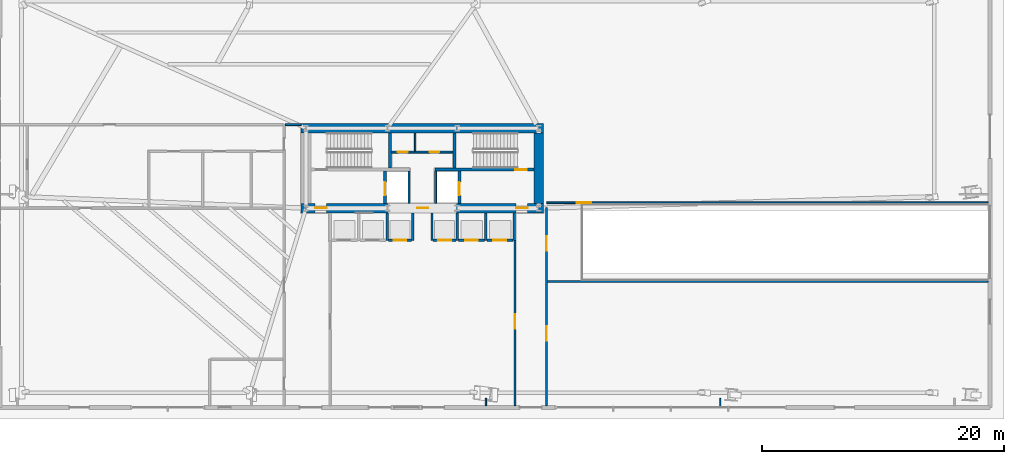
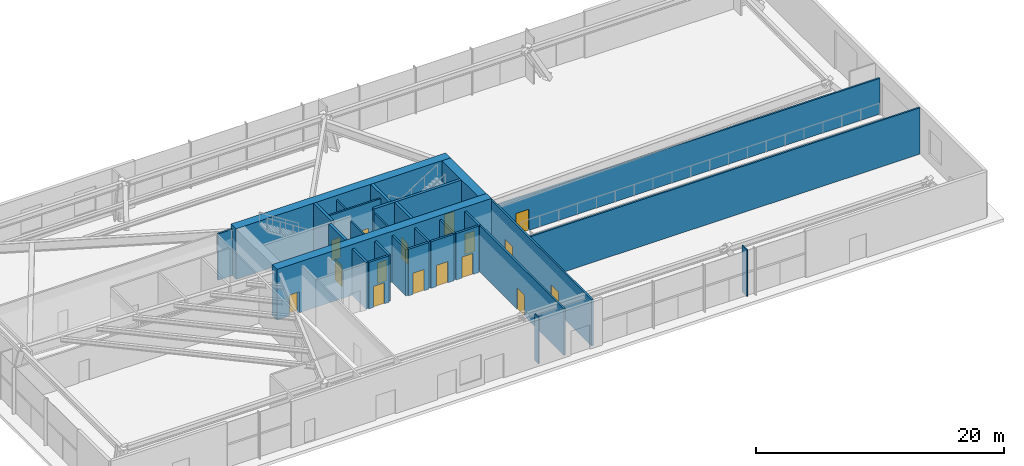
# One storey, part 25 of 31: 29 walls, 16 doors, 16 openings.
"""IFC4 building model written with IfcOpenShell, lengths in metres."""

import ifcopenshell
import ifcopenshell.guid

model = None  # the IFC model being written
_history = None  # IfcOwnerHistory: only IFC2X3 demands one
_inside = {}  # id of a spatial element -> (the spatial element, [elements in it])
_under = {}  # id of a project, library or spatial element -> (it, [spatial elements below it])
_declared = {}  # id of a project -> (the project, [libraries it declares])
_typed = {}  # id of a type object -> (the type object, [elements of that type])
_made_of = {}  # id of a material, layer set ... -> (it, [elements and type objects made of it])


def new_model(schema):
    """Start an empty IFC model of exactly this schema.

    Asked for "IFC4X3", IfcOpenShell would pick the latest addendum, in which some entities
    have other attributes; the version numbers below select the first issue.
    IFC2X3 requires an IfcOwnerHistory on every rooted entity: one is made here for all.
    """
    global model, _history
    if schema == "IFC4X3":
        model = ifcopenshell.file(schema_version=(4, 3, 0, 0))
    else:
        model = ifcopenshell.file(schema=schema)
    _inside.clear()
    _under.clear()
    _declared.clear()
    _typed.clear()
    _made_of.clear()
    _history = None
    if model.schema == "IFC2X3":
        org = make("IfcOrganization", Name="unknown")
        user = make(
            "IfcPersonAndOrganization",
            ThePerson=make("IfcPerson", FamilyName="unknown"),
            TheOrganization=org,
        )
        app = make(
            "IfcApplication",
            ApplicationDeveloper=org,
            Version="unknown",
            ApplicationFullName="unknown",
            ApplicationIdentifier="unknown",
        )
        _history = make(
            "IfcOwnerHistory",
            OwningUser=user,
            OwningApplication=app,
            ChangeAction="ADDED",
            CreationDate=0,
        )
    return model


def make(cls, **values):
    """One entity of the class cls with the attributes given. An attribute that is None is left unset."""
    return model.create_entity(
        cls, **{name: value for name, value in values.items() if value is not None}
    )


def rooted(cls, **values):
    """An entity with a GlobalId (a new one), such as an element, a storey or a relation."""
    return make(cls, GlobalId=ifcopenshell.guid.new(), OwnerHistory=_history, **values)


def si_unit(unit_type, name, prefix=None):
    """IfcSIUnit, for example si_unit("LENGTHUNIT", "METRE", prefix="MILLI")."""
    return make("IfcSIUnit", UnitType=unit_type, Prefix=prefix, Name=name)


def assignment(units):
    """IfcUnitAssignment: the units of a project."""
    return None if units is None else make("IfcUnitAssignment", Units=units)


def point(xyz):
    """IfcCartesianPoint."""
    return None if xyz is None else make("IfcCartesianPoint", Coordinates=xyz)


def direction(xyz):
    """IfcDirection."""
    return None if xyz is None else make("IfcDirection", DirectionRatios=xyz)


def frame(location, z_axis=None, x_axis=None):
    """IfcAxis2Placement3D, a coordinate frame: its origin and axes. An axis left out is left unset."""
    return make(
        "IfcAxis2Placement3D",
        Location=point(location),
        Axis=direction(z_axis),
        RefDirection=direction(x_axis),
    )


def frame_2d(location, x_axis=None):
    """IfcAxis2Placement2D, a coordinate frame in the plane: its origin and x axis."""
    return make(
        "IfcAxis2Placement2D", Location=point(location), RefDirection=direction(x_axis)
    )


def origin():
    """The frame at (0, 0, 0) with its axes left unset."""
    return frame((0.0, 0.0, 0.0))


def place(relative_to, where):
    """IfcLocalPlacement: puts the frame where relative to a parent placement (None: the world)."""
    return make(
        "IfcLocalPlacement", PlacementRelTo=relative_to, RelativePlacement=where
    )


def context(
    kind, dimensions, precision=None, world=None, true_north=None, identifier=None
):
    """IfcGeometricRepresentationContext, for example the 3D "Model" context."""
    return make(
        "IfcGeometricRepresentationContext",
        ContextIdentifier=identifier,
        ContextType=kind,
        CoordinateSpaceDimension=dimensions,
        Precision=precision,
        WorldCoordinateSystem=world,
        TrueNorth=true_north,
    )


def subcontext(parent, identifier, kind, view, scale=None):
    """IfcGeometricRepresentationSubContext, for example "Body" below "Model"."""
    return make(
        "IfcGeometricRepresentationSubContext",
        ContextIdentifier=identifier,
        ContextType=kind,
        ParentContext=parent,
        TargetScale=scale,
        TargetView=view,
    )


def project(units=None, contexts=None):
    """IfcProject with its units and contexts."""
    return rooted(
        "IfcProject",
        Name="project",
        RepresentationContexts=contexts,
        UnitsInContext=assignment(units),
    )


def spatial(cls, under=None, at=None, **own):
    """A site, building, storey or space (cls), placed at a placement, below another one or the project."""
    s = rooted(cls, ObjectPlacement=at, **own)
    if under is not None:
        _under.setdefault(under.id(), (under, []))[1].append(s)
    return s


def profile(cls, at=None, kind="AREA", **sizes):
    """A parametric profile (cls). Its sizes go by their IFC names, for example OverallWidth=200.0."""
    return make(cls, ProfileType=kind, Position=at, **sizes)


def rectangle(**sizes):
    """IfcRectangleProfileDef."""
    return profile("IfcRectangleProfileDef", **sizes)


def extrude(swept, where, along, depth):
    """IfcExtrudedAreaSolid: the profile swept, set in the frame where, extruded along a direction by depth."""
    return make(
        "IfcExtrudedAreaSolid",
        SweptArea=swept,
        Position=where,
        ExtrudedDirection=direction(along),
        Depth=depth,
    )


def shape(context_of_items, identifier, shape_type, items):
    """IfcShapeRepresentation: the items that make up one representation, for example the "Body"."""
    return make(
        "IfcShapeRepresentation",
        ContextOfItems=context_of_items,
        RepresentationIdentifier=identifier,
        RepresentationType=shape_type,
        Items=items,
    )


def source(mapping_origin, context_of_items, identifier, shape_type, items):
    """IfcRepresentationMap: a shape defined once, which mapped items show again and again."""
    return make(
        "IfcRepresentationMap",
        MappingOrigin=mapping_origin,
        MappedRepresentation=shape(context_of_items, identifier, shape_type, items),
    )


def transform(
    local_origin,
    x_axis=None,
    y_axis=None,
    z_axis=None,
    scale=None,
    scale2=None,
    scale3=None,
    uniform=True,
):
    """IfcCartesianTransformationOperator3D, or its non-uniform kind. x_axis, y_axis, z_axis: its Axis1, 2, 3."""
    if uniform:
        return make(
            "IfcCartesianTransformationOperator3D",
            Axis1=direction(x_axis),
            Axis2=direction(y_axis),
            LocalOrigin=point(local_origin),
            Scale=scale,
            Axis3=direction(z_axis),
        )
    return make(
        "IfcCartesianTransformationOperator3DnonUniform",
        Axis1=direction(x_axis),
        Axis2=direction(y_axis),
        LocalOrigin=point(local_origin),
        Scale=scale,
        Axis3=direction(z_axis),
        Scale2=scale2,
        Scale3=scale3,
    )


def mapped(mapping_source, mapping_target):
    """IfcMappedItem: shows the shape of a source again, moved by a transform."""
    return make(
        "IfcMappedItem", MappingSource=mapping_source, MappingTarget=mapping_target
    )


def material(Name=None, Category=None):
    """IfcMaterial."""
    return make("IfcMaterial", Name=Name, Category=Category)


def layer(
    of_material, thickness, ventilated=None, Name=None, Category=None, Priority=None
):
    """IfcMaterialLayer: one layer of a wall or slab, of a material (None: an air gap)."""
    return make(
        "IfcMaterialLayer",
        Material=of_material,
        LayerThickness=thickness,
        IsVentilated=ventilated,
        Name=Name,
        Category=Category,
        Priority=Priority,
    )


def layer_set(layers, Name=None):
    """IfcMaterialLayerSet."""
    return make("IfcMaterialLayerSet", MaterialLayers=layers, LayerSetName=Name)


def made_of(thing, what):
    """Note that an element or type object is made of a material, layer set ...; save() writes the relation."""
    if what is not None:
        _made_of.setdefault(what.id(), (what, []))[1].append(thing)
    return thing


def type_object(cls, material=None, **own):
    """A type object (cls), such as IfcWallType, which elements share."""
    return made_of(rooted(cls, **own), material)


def type_shapes(of_type, sources):
    """Give a type object the sources (RepresentationMaps) that its elements show as mapped items."""
    of_type.RepresentationMaps = sources


def element(
    cls,
    number,
    at=None,
    inside=None,
    cuts=None,
    type_object=None,
    material=None,
    context=None,
    identifier="Body",
    shape_type=None,
    held_by="IfcProductDefinitionShape",
    body=None,
    shapes=None,
    **own,
):
    """One element of the class cls, such as IfcWall. Its Tag is "e" and its number.

    at: its placement. inside: the storey or other place that contains it. cuts: it is an
    opening in that element (IfcRelVoidsElement). A single representation is given by context,
    identifier, shape_type and body (its items); several are given by shapes. held_by: the class
    of the entity that holds the representations. save() writes the other relations.
    """
    e = rooted(cls, Tag="e%d" % number, ObjectPlacement=at, **own)
    if body is not None:
        shapes = [shape(context, identifier, shape_type, body)]
    if shapes is not None:
        e.Representation = make(held_by, Representations=shapes)
    if inside is not None:
        _inside.setdefault(inside.id(), (inside, []))[1].append(e)
    if cuts is not None:
        rooted(
            "IfcRelVoidsElement", RelatingBuildingElement=cuts, RelatedOpeningElement=e
        )
    if type_object is not None:
        _typed.setdefault(type_object.id(), (type_object, []))[1].append(e)
    return made_of(e, material)


def fill(opening, filler):
    """IfcRelFillsElement: the door or window that sits in an opening."""
    return rooted(
        "IfcRelFillsElement",
        RelatingOpeningElement=opening,
        RelatedBuildingElement=filler,
    )


def aggregate(whole, parts):
    """IfcRelAggregates: a whole, such as a stair, and the parts it consists of."""
    return rooted("IfcRelAggregates", RelatingObject=whole, RelatedObjects=parts)


def save(model, path):
    """Write the relations noted so far, then the file.

    IfcRelAggregates (storeys below a building ...), IfcRelContainedInSpatialStructure (elements
    in a storey), IfcRelDefinesByType, IfcRelAssociatesMaterial and IfcRelDeclares: one each for
    every whole, place, type object, material and project.
    """
    for whole, parts in _under.values():
        aggregate(whole, parts)
    for where, things in _inside.values():
        rooted(
            "IfcRelContainedInSpatialStructure",
            RelatedElements=things,
            RelatingStructure=where,
        )
    for kind, things in _typed.values():
        rooted("IfcRelDefinesByType", RelatedObjects=things, RelatingType=kind)
    for what, things in _made_of.values():
        rooted("IfcRelAssociatesMaterial", RelatedObjects=things, RelatingMaterial=what)
    for by, libraries in _declared.values():
        rooted("IfcRelDeclares", RelatingContext=by, RelatedDefinitions=libraries)
    model.write(path)


model = new_model("IFC4")

# Units and contexts
model_context = context("Model", 3, precision=1e-05, world=origin(), true_north=direction((0.0, 1.0)))
body_context = subcontext(model_context, "Body", "Model", "MODEL_VIEW")
ifc_project = project(units=[si_unit("LENGTHUNIT", "METRE"), si_unit("AREAUNIT", "SQUARE_METRE"), si_unit("VOLUMEUNIT", "CUBIC_METRE"), si_unit("PLANEANGLEUNIT", "RADIAN"), si_unit("MASSUNIT", "GRAM", prefix="KILO")], contexts=[model_context])

# Site, building, storey
site_placement = place(None, origin())
site = spatial("IfcSite", under=ifc_project, at=site_placement, CompositionType="ELEMENT")
building_placement = place(site_placement, origin())
building = spatial("IfcBuilding", under=site, at=building_placement, Name="Astriad Promenade Condominiums", CompositionType="ELEMENT")
storey_placement = place(building_placement, origin())
storey = spatial("IfcBuildingStorey", under=building, at=storey_placement, Name="L00", CompositionType="ELEMENT", Elevation=0.0)

# Wall, openings, doors
ifc_material_1 = material(Name="Concrete C80/95", Category="concrete")
ifc_layer_1 = layer(ifc_material_1, 0.800048828125)
ifc_layer_set_1 = layer_set([ifc_layer_1], Name="Concrete C80/95")
wall_type_1 = type_object("IfcWallType", Name="CW-SHEAR-800", PredefinedType="SHEAR", material=ifc_layer_set_1)
wall_1_placement = place(storey_placement, frame((26.0, 17.39990234375, 0.0), z_axis=(0.0, 0.0, 1.0), x_axis=(1.0, 0.0, 0.0)))
wall_1 = element("IfcWall", 1, at=wall_1_placement, inside=storey, type_object=wall_type_1, Name="CW-CORE-S-L00", PredefinedType="SHEAR", context=body_context, shape_type="SweptSolid", body=[
    extrude(rectangle(XDim=20.0, YDim=0.800048828125, at=frame_2d((10.0, 0.0))), origin(), (0.0, 0.0, 1.0), 5.0),
])
opening_1_placement = place(wall_1_placement, frame((1.14990234375, 0.0, 0.0)))
opening_1 = element("IfcOpeningElement", 2, at=opening_1_placement, cuts=wall_1, Name="Opening FD90-ST-095", PredefinedType="OPENING", context=body_context, shape_type="SweptSolid", body=[
    extrude(rectangle(XDim=0.949951171875, YDim=2.06005859375, at=frame_2d((0.47509765625, 1.030029296875))), frame((0.0, 0.409912109375, 0.0), z_axis=(0.0, -1.0, 0.0), x_axis=(1.0, 0.0, 0.0)), (0.0, 0.0, 1.0), 0.820068359375),
])
opening_2_placement = place(wall_1_placement, frame((9.580078125, 0.0, 0.0)))
opening_2 = element("IfcOpeningElement", 3, at=opening_2_placement, cuts=wall_1, Name="Opening FD60-CSL-090", PredefinedType="OPENING", context=body_context, shape_type="SweptSolid", body=[
    extrude(rectangle(XDim=0.89990234375, YDim=2.06005859375, at=frame_2d((0.449951171875, 1.030029296875))), frame((0.0, 0.409912109375, 0.0), z_axis=(0.0, -1.0, 0.0), x_axis=(1.0, 0.0, 0.0)), (0.0, 0.0, 1.0), 0.820068359375),
])
opening_3_placement = place(wall_1_placement, frame((17.75, 0.0, 0.0)))
opening_3 = element("IfcOpeningElement", 4, at=opening_3_placement, cuts=wall_1, Name="Opening FD90-ST-095", PredefinedType="OPENING", context=body_context, shape_type="SweptSolid", body=[
    extrude(rectangle(XDim=0.949951171875, YDim=2.06005859375, at=frame_2d((0.47509765625, 1.030029296875))), frame((0.0, 0.409912109375, 0.0), z_axis=(0.0, -1.0, 0.0), x_axis=(1.0, 0.0, 0.0)), (0.0, 0.0, 1.0), 0.820068359375),
])
ifc_material_2 = material(Name="Fire-Rated Hollow Metal Stair Door")
door_type_1 = type_object("IfcDoorType", Name="FD90-ST-095", OperationType="NOTDEFINED", PredefinedType="DOOR", material=ifc_material_2)
shared_shape_1 = source(origin(), body_context, "Body", "SweptSolid", [
    extrude(rectangle(XDim=0.949951171875, YDim=2.06005859375, at=frame_2d((0.47509765625, 1.030029296875))), frame((0.0, 0.02490234375, 0.0), z_axis=(0.0, -1.0, 0.0), x_axis=(1.0, 0.0, 0.0)), (0.0, 0.0, 1.0), 0.050048828125),
])
type_shapes(door_type_1, [shared_shape_1])
door_1_placement = place(opening_1_placement, origin())
door_1 = element("IfcDoor", 5, at=door_1_placement, inside=storey, type_object=door_type_1, Name="D-FFW-L00", OperationType="SINGLE_SWING_LEFT", OverallHeight=2.06005859375, OverallWidth=0.949951171875, PredefinedType="DOOR", context=body_context, shape_type="MappedRepresentation", body=[
    mapped(shared_shape_1, transform((0.0, 0.0, 0.0), scale=1.0)),
])
fill(opening_1, door_1)
door_2_placement = place(opening_3_placement, origin())
door_2 = element("IfcDoor", 6, at=door_2_placement, inside=storey, type_object=door_type_1, Name="D-FFE-L00", OperationType="SINGLE_SWING_RIGHT", OverallHeight=2.06005859375, OverallWidth=0.949951171875, PredefinedType="DOOR", context=body_context, shape_type="MappedRepresentation", body=[
    mapped(shared_shape_1, transform((0.0, 0.0, 0.0), scale=1.0)),
])
fill(opening_3, door_2)
ifc_material_3 = material(Name="Fire-Rated Service Lobby Door")
door_type_2 = type_object("IfcDoorType", Name="FD60-CSL-090", OperationType="NOTDEFINED", PredefinedType="DOOR", material=ifc_material_3)
shared_shape_2 = source(origin(), body_context, "Body", "SweptSolid", [
    extrude(rectangle(XDim=0.89990234375, YDim=2.06005859375, at=frame_2d((0.449951171875, 1.030029296875))), frame((0.0, 0.02490234375, 0.0), z_axis=(0.0, -1.0, 0.0), x_axis=(1.0, 0.0, 0.0)), (0.0, 0.0, 1.0), 0.050048828125),
])
type_shapes(door_type_2, [shared_shape_2])
door_3_placement = place(opening_2_placement, origin())
door_3 = element("IfcDoor", 7, at=door_3_placement, inside=storey, type_object=door_type_2, Name="D-CSL-L00", OperationType="SINGLE_SWING_RIGHT", OverallHeight=2.06005859375, OverallWidth=0.89990234375, PredefinedType="DOOR", context=body_context, shape_type="MappedRepresentation", body=[
    mapped(shared_shape_2, transform((0.0, 0.0, 0.0), scale=1.0)),
])
fill(opening_2, door_3)

# Walls
wall_2_placement = place(storey_placement, frame((26.0, 24.0, 0.0), z_axis=(0.0, 0.0, 1.0), x_axis=(1.0, 0.0, 0.0)))
element("IfcWall", 8, at=wall_2_placement, inside=storey, type_object=wall_type_1, Name="CW-CORE-N-L00", PredefinedType="SHEAR", context=body_context, shape_type="SweptSolid", body=[
    extrude(rectangle(XDim=20.0, YDim=0.800048828125, at=frame_2d((10.0, 0.0))), origin(), (0.0, 0.0, 1.0), 5.0),
])
wall_3_placement = place(storey_placement, frame((45.60009765625, 17.802001953125, 0.0), z_axis=(0.0, 0.0, 1.0), x_axis=(0.0, 1.0, 0.0)))
element("IfcWall", 9, at=wall_3_placement, inside=storey, type_object=wall_type_1, Name="CW-CORE-E-L00", PredefinedType="SHEAR", context=body_context, shape_type="SweptSolid", body=[
    extrude(rectangle(XDim=5.7958984375, YDim=0.800048828125, at=frame_2d((2.89794921875, 0.0))), origin(), (0.0, 0.0, 1.0), 5.0),
])

# Wall, opening, door
ifc_material_4 = material(Name="Concrete C50/60", Category="concrete")
ifc_layer_2 = layer(ifc_material_4, 0.25)
ifc_layer_set_2 = layer_set([ifc_layer_2], Name="Concrete C50/60")
wall_type_2 = type_object("IfcWallType", Name="WALL-CORE-INT-250", PredefinedType="SOLIDWALL", material=ifc_layer_set_2)
wall_4_placement = place(storey_placement, frame((37.050048828125, 20.574951171875, 0.0), z_axis=(0.0, 0.0, 1.0), x_axis=(1.0, 0.0, 0.0)))
wall_4 = element("IfcWall", 10, at=wall_4_placement, inside=storey, type_object=wall_type_2, Name="CW-INT-H2-L00", PredefinedType="SOLIDWALL", context=body_context, shape_type="SweptSolid", body=[
    extrude(rectangle(XDim=8.14794921875, YDim=0.25, at=frame_2d((4.073974609375, 0.0))), origin(), (0.0, 0.0, 1.0), 5.0),
])
opening_4_placement = place(wall_4_placement, frame((6.60009765625, 0.0, 0.0)))
opening_4 = element("IfcOpeningElement", 11, at=opening_4_placement, cuts=wall_4, Name="Opening FD90-ST-095", PredefinedType="OPENING", context=body_context, shape_type="SweptSolid", body=[
    extrude(rectangle(XDim=0.949951171875, YDim=2.06005859375, at=frame_2d((0.47509765625, 1.030029296875))), frame((0.0, 0.135009765625, 0.0), z_axis=(0.0, -1.0, 0.0), x_axis=(1.0, 0.0, 0.0)), (0.0, 0.0, 1.0), 0.27001953125),
])
door_4_placement = place(opening_4_placement, origin())
door_4 = element("IfcDoor", 12, at=door_4_placement, inside=storey, type_object=door_type_1, Name="D-ST2-L00", OperationType="SINGLE_SWING_RIGHT", OverallHeight=2.06005859375, OverallWidth=0.949951171875, PredefinedType="DOOR", context=body_context, shape_type="MappedRepresentation", body=[
    mapped(shared_shape_1, transform((0.0, 0.0, 0.0), scale=1.0)),
])
fill(opening_4, door_4)

# Walls
for number, where, z_axis, x_axis, name in (
    (13, (33.324951171875, 20.701904296875, 0.0), (0.0, 0.0, 1.0), (0.0, 1.0, 0.0), "CW-ST1-E-L00"),
    (14, (38.675048828125, 20.701904296875, 0.0), (0.0, 0.0, 1.0), (0.0, 1.0, 0.0), "CW-ST2-W-L00"),
):
    element("IfcWall", number, at=place(storey_placement, frame(where, z_axis=z_axis, x_axis=x_axis)), inside=storey, type_object=wall_type_2, Name=name, PredefinedType="SOLIDWALL", context=body_context, shape_type="SweptSolid", body=[
        extrude(rectangle(XDim=2.89599609375, YDim=0.25, at=frame_2d((1.447998046875, 0.0))), origin(), (0.0, 0.0, 1.0), 5.0),
    ])

# Wall, opening, door
wall_5_placement = place(storey_placement, frame((32.925048828125, 17.802001953125, 0.0), z_axis=(0.0, 0.0, 1.0), x_axis=(0.0, 1.0, 0.0)))
wall_5 = element("IfcWall", 15, at=wall_5_placement, inside=storey, type_object=wall_type_2, Name="CW-FFL1-W-L00", PredefinedType="SOLIDWALL", context=body_context, shape_type="SweptSolid", body=[
    extrude(rectangle(XDim=2.64599609375, YDim=0.25, at=frame_2d((1.322998046875, 0.0))), origin(), (0.0, 0.0, 1.0), 5.0),
])
opening_5_placement = place(wall_5_placement, frame((0.64794921875, 0.0, 0.0)))
opening_5 = element("IfcOpeningElement", 16, at=opening_5_placement, cuts=wall_5, Name="Opening LD-FFL-1122", PredefinedType="OPENING", context=body_context, shape_type="SweptSolid", body=[
    extrude(rectangle(XDim=1.10009765625, YDim=2.080078125, at=frame_2d((0.550048828125, 1.0400390625))), frame((0.0, 0.135009765625, 0.0), z_axis=(0.0, -1.0, 0.0), x_axis=(1.0, 0.0, 0.0)), (0.0, 0.0, 1.0), 0.27001953125),
])
ifc_material_5 = material(Name="Brushed Stainless Steel Fire Elevator Landing Door", Category="steel")
door_type_3 = type_object("IfcDoorType", Name="LD-FFL-1122", OperationType="NOTDEFINED", PredefinedType="DOOR", material=ifc_material_5)
shared_shape_3 = source(origin(), body_context, "Body", "SweptSolid", [
    extrude(rectangle(XDim=1.10009765625, YDim=2.080078125, at=frame_2d((0.550048828125, 1.0400390625))), frame((0.0, 0.02490234375, 0.0), z_axis=(0.0, -1.0, 0.0), x_axis=(1.0, 0.0, 0.0)), (0.0, 0.0, 1.0), 0.050048828125),
])
type_shapes(door_type_3, [shared_shape_3])
door_5_placement = place(opening_5_placement, origin())
door_5 = element("IfcDoor", 17, at=door_5_placement, inside=storey, type_object=door_type_3, Name="Elevator Landing Door FFL-1 (L00)", OperationType="SLIDING_TO_LEFT", OverallHeight=2.080078125, OverallWidth=1.10009765625, PredefinedType="DOOR", context=body_context, shape_type="MappedRepresentation", body=[
    mapped(shared_shape_3, transform((0.0, 0.0, 0.0), scale=1.0)),
])
fill(opening_5, door_5)

wall_6_placement = place(storey_placement, frame((39.074951171875, 17.802001953125, 0.0), z_axis=(0.0, 0.0, 1.0), x_axis=(0.0, 1.0, 0.0)))
wall_6 = element("IfcWall", 18, at=wall_6_placement, inside=storey, type_object=wall_type_2, Name="CW-FFL2-E-L00", PredefinedType="SOLIDWALL", context=body_context, shape_type="SweptSolid", body=[
    extrude(rectangle(XDim=2.64599609375, YDim=0.25, at=frame_2d((1.322998046875, 0.0))), origin(), (0.0, 0.0, 1.0), 5.0),
])
opening_6_placement = place(wall_6_placement, frame((0.64794921875, 0.0, 0.0)))
opening_6 = element("IfcOpeningElement", 19, at=opening_6_placement, cuts=wall_6, Name="Opening LD-FFL-1122", PredefinedType="OPENING", context=body_context, shape_type="SweptSolid", body=[
    extrude(rectangle(XDim=1.10009765625, YDim=2.080078125, at=frame_2d((0.550048828125, 1.0400390625))), frame((0.0, 0.135009765625, 0.0), z_axis=(0.0, -1.0, 0.0), x_axis=(1.0, 0.0, 0.0)), (0.0, 0.0, 1.0), 0.27001953125),
])
door_6_placement = place(opening_6_placement, origin())
door_6 = element("IfcDoor", 20, at=door_6_placement, inside=storey, type_object=door_type_3, Name="Elevator Landing Door FFL-2 (L00)", OperationType="SLIDING_TO_RIGHT", OverallHeight=2.080078125, OverallWidth=1.10009765625, PredefinedType="DOOR", context=body_context, shape_type="MappedRepresentation", body=[
    mapped(shared_shape_3, transform((0.0, 0.0, 0.0), scale=1.0)),
])
fill(opening_6, door_6)

# Walls
ifc_material_6 = material(Name="Fire-Rated Gypsum Partition")
ifc_layer_3 = layer(ifc_material_6, 0.159912109375)
ifc_layer_set_3 = layer_set([ifc_layer_3], Name="Fire-Rated Gypsum Partition")
wall_type_3 = type_object("IfcWallType", Name="WALL-CORR-160", PredefinedType="PARTITIONING", material=ifc_layer_set_3)
for number, where, z_axis, x_axis, name in (
    (21, (34.89990234375, 17.802001953125, 0.0), (0.0, 0.0, 1.0), (0.0, 1.0, 0.0), "CW-FFL1-E-L00"),
    (22, (37.10009765625, 17.802001953125, 0.0), (0.0, 0.0, 1.0), (0.0, 1.0, 0.0), "CW-FFL2-W-L00"),
):
    element("IfcWall", number, at=place(storey_placement, frame(where, z_axis=z_axis, x_axis=x_axis)), inside=storey, type_object=wall_type_3, Name=name, PredefinedType="PARTITIONING", context=body_context, shape_type="SweptSolid", body=[
        extrude(rectangle(XDim=2.64599609375, YDim=0.159912109375, at=frame_2d((1.322998046875, 0.0))), origin(), (0.0, 0.0, 1.0), 4.580078125),
    ])

# Wall, openings, doors
wall_7_placement = place(storey_placement, frame((33.451904296875, 22.030029296875, 0.0), z_axis=(0.0, 0.0, 1.0), x_axis=(1.0, 0.0, 0.0)))
wall_7 = element("IfcWall", 23, at=wall_7_placement, inside=storey, type_object=wall_type_3, Name="CW-AUX-N-L00", PredefinedType="PARTITIONING", context=body_context, shape_type="SweptSolid", body=[
    extrude(rectangle(XDim=5.09619140625, YDim=0.159912109375, at=frame_2d((2.548095703125, 0.0))), origin(), (0.0, 0.0, 1.0), 4.580078125),
])
opening_7_placement = place(wall_7_placement, frame((0.5380859375, 0.0, 0.0)))
opening_7 = element("IfcOpeningElement", 24, at=opening_7_placement, cuts=wall_7, Name="Opening FD60-SV-080", PredefinedType="OPENING", context=body_context, shape_type="SweptSolid", body=[
    extrude(rectangle(XDim=0.800048828125, YDim=2.050048828125, at=frame_2d((0.39990234375, 1.02490234375))), frame((0.0, 0.08984375, 0.0), z_axis=(0.0, -1.0, 0.0), x_axis=(1.0, 0.0, 0.0)), (0.0, 0.0, 1.0), 0.179931640625),
])
opening_8_placement = place(wall_7_placement, frame((3.157958984375, 0.0, 0.0)))
opening_8 = element("IfcOpeningElement", 25, at=opening_8_placement, cuts=wall_7, Name="Opening FD60-SV-080", PredefinedType="OPENING", context=body_context, shape_type="SweptSolid", body=[
    extrude(rectangle(XDim=0.800048828125, YDim=2.050048828125, at=frame_2d((0.39990234375, 1.02490234375))), frame((0.0, 0.08984375, 0.0), z_axis=(0.0, -1.0, 0.0), x_axis=(1.0, 0.0, 0.0)), (0.0, 0.0, 1.0), 0.179931640625),
])
ifc_material_7 = material(Name="Fire-Rated Riser Closet Door")
door_type_4 = type_object("IfcDoorType", Name="FD60-SV-080", OperationType="NOTDEFINED", PredefinedType="DOOR", material=ifc_material_7)
shared_shape_4 = source(origin(), body_context, "Body", "SweptSolid", [
    extrude(rectangle(XDim=0.800048828125, YDim=2.050048828125, at=frame_2d((0.39990234375, 1.02490234375))), frame((0.0, 0.02490234375, 0.0), z_axis=(0.0, -1.0, 0.0), x_axis=(1.0, 0.0, 0.0)), (0.0, 0.0, 1.0), 0.050048828125),
])
type_shapes(door_type_4, [shared_shape_4])
door_7_placement = place(opening_7_placement, origin())
door_7 = element("IfcDoor", 26, at=door_7_placement, inside=storey, type_object=door_type_4, Name="D-AUX1-L00", OperationType="SINGLE_SWING_LEFT", OverallHeight=2.050048828125, OverallWidth=0.800048828125, PredefinedType="DOOR", context=body_context, shape_type="MappedRepresentation", body=[
    mapped(shared_shape_4, transform((0.0, 0.0, 0.0), scale=1.0)),
])
fill(opening_7, door_7)
door_8_placement = place(opening_8_placement, origin())
door_8 = element("IfcDoor", 27, at=door_8_placement, inside=storey, type_object=door_type_4, Name="D-AUX2-L00", OperationType="SINGLE_SWING_RIGHT", OverallHeight=2.050048828125, OverallWidth=0.800048828125, PredefinedType="DOOR", context=body_context, shape_type="MappedRepresentation", body=[
    mapped(shared_shape_4, transform((0.0, 0.0, 0.0), scale=1.0)),
])
fill(opening_8, door_8)

# Wall, opening, door
wall_8_placement = place(storey_placement, frame((43.64990234375, 1.10205078125, 0.0), z_axis=(0.0, 0.0, 1.0), x_axis=(0.0, 1.0, 0.0)))
wall_8 = element("IfcWall", 28, at=wall_8_placement, inside=storey, type_object=wall_type_3, Name="PT-L00-EXPE-W", PredefinedType="PARTITIONING", context=body_context, shape_type="SweptSolid", body=[
    extrude(rectangle(XDim=13.64794921875, YDim=0.159912109375, at=frame_2d((6.823974609375, 0.0))), origin(), (0.0, 0.0, 1.0), 4.580078125),
])
opening_9_placement = place(wall_8_placement, frame((6.347900390625, 0.0, 0.0)))
opening_9 = element("IfcOpeningElement", 29, at=opening_9_placement, cuts=wall_8, Name="Opening FD90-PLT-1222", PredefinedType="OPENING", context=body_context, shape_type="SweptSolid", body=[
    extrude(rectangle(XDim=1.199951171875, YDim=2.080078125, at=frame_2d((0.60009765625, 1.0400390625))), frame((0.0, 0.08984375, 0.0), z_axis=(0.0, -1.0, 0.0), x_axis=(1.0, 0.0, 0.0)), (0.0, 0.0, 1.0), 0.179931640625),
])
ifc_material_8 = material(Name="Fire-Rated Double-Insulated Plant Door")
door_type_5 = type_object("IfcDoorType", Name="FD90-PLT-1222", OperationType="NOTDEFINED", PredefinedType="DOOR", material=ifc_material_8)
shared_shape_5 = source(origin(), body_context, "Body", "SweptSolid", [
    extrude(rectangle(XDim=1.199951171875, YDim=2.080078125, at=frame_2d((0.60009765625, 1.0400390625))), frame((0.0, 0.02490234375, 0.0), z_axis=(0.0, -1.0, 0.0), x_axis=(1.0, 0.0, 0.0)), (0.0, 0.0, 1.0), 0.050048828125),
])
type_shapes(door_type_5, [shared_shape_5])
door_9_placement = place(opening_9_placement, origin())
door_9 = element("IfcDoor", 30, at=door_9_placement, inside=storey, type_object=door_type_5, Name="D-L00-LOBE", OperationType="SINGLE_SWING_RIGHT", OverallHeight=2.080078125, OverallWidth=1.199951171875, PredefinedType="DOOR", context=body_context, shape_type="MappedRepresentation", body=[
    mapped(shared_shape_5, transform((0.0, 0.0, 0.0), scale=1.0)),
])
fill(opening_9, door_9)

# Wall, openings, doors
wall_9_placement = place(storey_placement, frame((46.25, 1.10205078125, 0.0), z_axis=(0.0, 0.0, 1.0), x_axis=(0.0, 1.0, 0.0)))
wall_9 = element("IfcWall", 31, at=wall_9_placement, inside=storey, type_object=wall_type_3, Name="PT-L00-EXPE-E", PredefinedType="PARTITIONING", context=body_context, shape_type="SweptSolid", body=[
    extrude(rectangle(XDim=16.347900390625, YDim=0.159912109375, at=frame_2d((8.173828125, 0.0))), origin(), (0.0, 0.0, 1.0), 4.580078125),
])
opening_10_placement = place(wall_9_placement, frame((5.347900390625, 0.0, 0.0)))
opening_10 = element("IfcOpeningElement", 32, at=opening_10_placement, cuts=wall_9, Name="Opening FD60-RET-1222", PredefinedType="OPENING", context=body_context, shape_type="SweptSolid", body=[
    extrude(rectangle(XDim=1.199951171875, YDim=2.080078125, at=frame_2d((0.60009765625, 1.0400390625))), frame((0.0, 0.08984375, 0.0), z_axis=(0.0, -1.0, 0.0), x_axis=(1.0, 0.0, 0.0)), (0.0, 0.0, 1.0), 0.179931640625),
])
opening_11_placement = place(wall_9_placement, frame((12.798095703125, 0.0, 0.0)))
opening_11 = element("IfcOpeningElement", 33, at=opening_11_placement, cuts=wall_9, Name="Opening FD90-PLT-1222", PredefinedType="OPENING", context=body_context, shape_type="SweptSolid", body=[
    extrude(rectangle(XDim=1.199951171875, YDim=2.080078125, at=frame_2d((0.60009765625, 1.0400390625))), frame((0.0, 0.08984375, 0.0), z_axis=(0.0, -1.0, 0.0), x_axis=(1.0, 0.0, 0.0)), (0.0, 0.0, 1.0), 0.179931640625),
])
door_10_placement = place(opening_11_placement, origin())
door_10 = element("IfcDoor", 34, at=door_10_placement, inside=storey, type_object=door_type_5, Name="D-L00-RAMP", OperationType="SINGLE_SWING_RIGHT", OverallHeight=2.080078125, OverallWidth=1.199951171875, PredefinedType="DOOR", context=body_context, shape_type="MappedRepresentation", body=[
    mapped(shared_shape_5, transform((0.0, 0.0, 0.0), scale=1.0)),
])
fill(opening_11, door_10)
ifc_material_9 = material(Name="Glazed Aluminium Retail Entry Door", Category="aluminium")
door_type_6 = type_object("IfcDoorType", Name="FD60-RET-1222", OperationType="NOTDEFINED", PredefinedType="DOOR", material=ifc_material_9)
shared_shape_6 = source(origin(), body_context, "Body", "SweptSolid", [
    extrude(rectangle(XDim=1.199951171875, YDim=2.080078125, at=frame_2d((0.60009765625, 1.0400390625))), frame((0.0, 0.02490234375, 0.0), z_axis=(0.0, -1.0, 0.0), x_axis=(1.0, 0.0, 0.0)), (0.0, 0.0, 1.0), 0.050048828125),
])
type_shapes(door_type_6, [shared_shape_6])
door_11_placement = place(opening_10_placement, origin())
door_11 = element("IfcDoor", 35, at=door_11_placement, inside=storey, type_object=door_type_6, Name="D-L00-RETE", OperationType="SINGLE_SWING_LEFT", OverallHeight=2.080078125, OverallWidth=1.199951171875, PredefinedType="DOOR", context=body_context, shape_type="MappedRepresentation", body=[
    mapped(shared_shape_6, transform((0.0, 0.0, 0.0), scale=1.0)),
])
fill(opening_10, door_11)

# Walls
wall_10_placement = place(storey_placement, frame((24.681884765625, 24.300048828125, 0.0), z_axis=(0.0, 0.0, 1.0), x_axis=(1.0, 0.0, 0.0)))
element("IfcWall", 36, at=wall_10_placement, inside=storey, type_object=wall_type_3, Name="PT-L00-CN-S2", PredefinedType="PARTITIONING", context=body_context, shape_type="SweptSolid", body=[
    extrude(rectangle(XDim=1.318115234375, YDim=0.159912109375, at=frame_2d((0.6591796875, 0.0))), origin(), (0.0, 0.0, 1.0), 4.580078125),
])
wall_11_placement = place(storey_placement, frame((46.33203125, 11.35009765625, 0.0), z_axis=(0.0, 0.0, 1.0), x_axis=(1.0, 0.0, 0.0)))
element("IfcWall", 37, at=wall_11_placement, inside=storey, type_object=wall_type_3, Name="PT-L00-RMPS", PredefinedType="PARTITIONING", context=body_context, shape_type="SweptSolid", body=[
    extrude(rectangle(XDim=36.347900390625, YDim=0.159912109375, at=frame_2d((18.173828125, 0.0))), origin(), (0.0, 0.0, 1.0), 4.580078125),
])

# Wall, opening, door
wall_12_placement = place(storey_placement, frame((46.25, 17.85009765625, 0.0), z_axis=(0.0, 0.0, 1.0), x_axis=(1.0, 0.0, 0.0)))
wall_12 = element("IfcWall", 38, at=wall_12_placement, inside=storey, type_object=wall_type_3, Name="PT-L00-LDS", PredefinedType="PARTITIONING", context=body_context, shape_type="SweptSolid", body=[
    extrude(rectangle(XDim=36.429931640625, YDim=0.159912109375, at=frame_2d((18.21484375, 0.0))), origin(), (0.0, 0.0, 1.0), 3.536376953125),
])
opening_12_placement = place(wall_12_placement, frame((2.5, 0.0, 0.0)))
opening_12 = element("IfcOpeningElement", 39, at=opening_12_placement, cuts=wall_12, Name="Opening FD90-PLT-1222", PredefinedType="OPENING", context=body_context, shape_type="SweptSolid", body=[
    extrude(rectangle(XDim=1.199951171875, YDim=2.080078125, at=frame_2d((0.60009765625, 1.0400390625))), frame((0.0, 0.08984375, 0.0), z_axis=(0.0, -1.0, 0.0), x_axis=(1.0, 0.0, 0.0)), (0.0, 0.0, 1.0), 0.179931640625),
])
door_12_placement = place(opening_12_placement, origin())
door_12 = element("IfcDoor", 40, at=door_12_placement, inside=storey, type_object=door_type_5, Name="D-L00-LOAD", OperationType="SINGLE_SWING_LEFT", OverallHeight=2.080078125, OverallWidth=1.199951171875, PredefinedType="DOOR", context=body_context, shape_type="MappedRepresentation", body=[
    mapped(shared_shape_5, transform((0.0, 0.0, 0.0), scale=1.0)),
])
fill(opening_12, door_12)

# Walls
ifc_material_10 = material(Name="Acoustic Metal-Stud Gypsum Partition")
ifc_layer_4 = layer(ifc_material_10, 0.1201171875)
ifc_layer_set_4 = layer_set([ifc_layer_4], Name="Acoustic Metal-Stud Gypsum Partition")
wall_type_4 = type_object("IfcWallType", Name="WALL-PART-120", PredefinedType="PARTITIONING", material=ifc_layer_set_4)
wall_13_placement = place(storey_placement, frame((35.39990234375, 22.112060546875, 0.0), z_axis=(0.0, 0.0, 1.0), x_axis=(0.0, 1.0, 0.0)))
element("IfcWall", 41, at=wall_13_placement, inside=storey, type_object=wall_type_4, Name="CW-AUX-V1-L00", PredefinedType="PARTITIONING", context=body_context, shape_type="SweptSolid", body=[
    extrude(rectangle(XDim=1.48583984375, YDim=0.1201171875, at=frame_2d((0.742919921875, 0.0))), origin(), (0.0, 0.0, 1.0), 4.580078125),
])
wall_14_placement = place(storey_placement, frame((41.25, 1.699951171875, 0.0), z_axis=(0.0, 0.0, 1.0), x_axis=(0.0, -1.0, 0.0)))
element("IfcWall", 42, at=wall_14_placement, inside=storey, type_object=wall_type_4, Name="PT-PIL-L00-PC03-10", PredefinedType="PARTITIONING", context=body_context, shape_type="SweptSolid", body=[
    extrude(rectangle(XDim=0.597900390625, YDim=0.1201171875, at=frame_2d((0.298828125, 0.0))), origin(), (0.0, 0.0, 1.0), 4.580078125),
])
wall_15_placement = place(storey_placement, frame((60.5849609375, 1.699951171875, 0.0), z_axis=(0.0, 0.0, 1.0), x_axis=(0.0, -1.0, 0.0)))
element("IfcWall", 43, at=wall_15_placement, inside=storey, type_object=wall_type_4, Name="PT-PIL-L00-PC04-11", PredefinedType="PARTITIONING", context=body_context, shape_type="SweptSolid", body=[
    extrude(rectangle(XDim=0.820068359375, YDim=0.1201171875, at=frame_2d((0.41015625, 0.0))), origin(), (0.0, 0.0, 1.0), 4.580078125),
])
ifc_material_11 = material(Name="Gypsum Shaftliner Assembly")
ifc_layer_5 = layer(ifc_material_11, 0.199951171875)
ifc_layer_set_5 = layer_set([ifc_layer_5], Name="Gypsum Shaftliner Assembly")
wall_type_5 = type_object("IfcWallType", Name="WALL-SHAFT-200", PredefinedType="PARTITIONING", material=ifc_layer_set_5)
for number, where, z_axis, x_axis, name in (
    (44, (33.10009765625, 14.75, 0.0), (0.0, 0.0, 1.0), (0.0, 1.0, 0.0), "PL-LM-DIV-L00"),
    (45, (35.199951171875, 14.75, 0.0), (0.0, 0.0, 1.0), (0.0, 1.0, 0.0), "PL-M1-E-L00"),
):
    element("IfcWall", number, at=place(storey_placement, frame(where, z_axis=z_axis, x_axis=x_axis)), inside=storey, type_object=wall_type_5, Name=name, PredefinedType="PARTITIONING", context=body_context, shape_type="SweptSolid", body=[
        extrude(rectangle(XDim=2.248046875, YDim=0.199951171875, at=frame_2d((1.1240234375, 0.0))), origin(), (0.0, 0.0, 1.0), 4.580078125),
    ])

# Wall, opening, door
wall_16_placement = place(storey_placement, frame((33.201904296875, 14.75, 0.0), z_axis=(0.0, 0.0, 1.0), x_axis=(1.0, 0.0, 0.0)))
wall_16 = element("IfcWall", 46, at=wall_16_placement, inside=storey, type_object=wall_type_5, Name="PL-M1-F-L00", PredefinedType="PARTITIONING", context=body_context, shape_type="SweptSolid", body=[
    extrude(rectangle(XDim=1.89599609375, YDim=0.199951171875, at=frame_2d((0.947998046875, 0.0))), origin(), (0.0, 0.0, 1.0), 4.580078125),
])
opening_13_placement = place(wall_16_placement, frame((0.423095703125, 0.0, 0.0)))
opening_13 = element("IfcOpeningElement", 47, at=opening_13_placement, cuts=wall_16, Name="Opening LD-PL-10522", PredefinedType="OPENING", context=body_context, shape_type="SweptSolid", body=[
    extrude(rectangle(XDim=1.050048828125, YDim=2.080078125, at=frame_2d((0.52490234375, 1.0400390625))), frame((0.0, 0.10986328125, 0.0), z_axis=(0.0, -1.0, 0.0), x_axis=(1.0, 0.0, 0.0)), (0.0, 0.0, 1.0), 0.219970703125),
])
ifc_material_12 = material(Name="Brushed Bronze Passenger Elevator Landing Door")
door_type_7 = type_object("IfcDoorType", Name="LD-PL-10522", OperationType="NOTDEFINED", PredefinedType="DOOR", material=ifc_material_12)
shared_shape_7 = source(origin(), body_context, "Body", "SweptSolid", [
    extrude(rectangle(XDim=1.050048828125, YDim=2.080078125, at=frame_2d((0.52490234375, 1.0400390625))), frame((0.0, 0.02490234375, 0.0), z_axis=(0.0, -1.0, 0.0), x_axis=(1.0, 0.0, 0.0)), (0.0, 0.0, 1.0), 0.050048828125),
])
type_shapes(door_type_7, [shared_shape_7])
door_13_placement = place(opening_13_placement, origin())
door_13 = element("IfcDoor", 48, at=door_13_placement, inside=storey, type_object=door_type_7, Name="Elevator Landing Door PL-M1 (L00)", OperationType="SLIDING_TO_LEFT", OverallHeight=2.080078125, OverallWidth=1.050048828125, PredefinedType="DOOR", context=body_context, shape_type="MappedRepresentation", body=[
    mapped(shared_shape_7, transform((0.0, 0.0, 0.0), scale=1.0)),
])
fill(opening_13, door_13)

# Walls
for number, where, z_axis, x_axis, name in (
    (49, (36.800048828125, 14.75, 0.0), (0.0, 0.0, 1.0), (0.0, 1.0, 0.0), "PL-M2-W-L00"),
    (50, (38.89990234375, 14.75, 0.0), (0.0, 0.0, 1.0), (0.0, 1.0, 0.0), "PL-MH-DIV-L00"),
):
    element("IfcWall", number, at=place(storey_placement, frame(where, z_axis=z_axis, x_axis=x_axis)), inside=storey, type_object=wall_type_5, Name=name, PredefinedType="PARTITIONING", context=body_context, shape_type="SweptSolid", body=[
        extrude(rectangle(XDim=2.248046875, YDim=0.199951171875, at=frame_2d((1.1240234375, 0.0))), origin(), (0.0, 0.0, 1.0), 4.580078125),
    ])

# Wall, opening, door
wall_17_placement = place(storey_placement, frame((36.902099609375, 14.75, 0.0), z_axis=(0.0, 0.0, 1.0), x_axis=(1.0, 0.0, 0.0)))
wall_17 = element("IfcWall", 51, at=wall_17_placement, inside=storey, type_object=wall_type_5, Name="PL-M2-F-L00", PredefinedType="PARTITIONING", context=body_context, shape_type="SweptSolid", body=[
    extrude(rectangle(XDim=1.89599609375, YDim=0.199951171875, at=frame_2d((0.947998046875, 0.0))), origin(), (0.0, 0.0, 1.0), 4.580078125),
])
opening_14_placement = place(wall_17_placement, frame((0.423095703125, 0.0, 0.0)))
opening_14 = element("IfcOpeningElement", 52, at=opening_14_placement, cuts=wall_17, Name="Opening LD-PL-10522", PredefinedType="OPENING", context=body_context, shape_type="SweptSolid", body=[
    extrude(rectangle(XDim=1.050048828125, YDim=2.080078125, at=frame_2d((0.52490234375, 1.0400390625))), frame((0.0, 0.10986328125, 0.0), z_axis=(0.0, -1.0, 0.0), x_axis=(1.0, 0.0, 0.0)), (0.0, 0.0, 1.0), 0.219970703125),
])
door_14_placement = place(opening_14_placement, origin())
door_14 = element("IfcDoor", 53, at=door_14_placement, inside=storey, type_object=door_type_7, Name="Elevator Landing Door PL-M2 (L00)", OperationType="SLIDING_TO_RIGHT", OverallHeight=2.080078125, OverallWidth=1.050048828125, PredefinedType="DOOR", context=body_context, shape_type="MappedRepresentation", body=[
    mapped(shared_shape_7, transform((0.0, 0.0, 0.0), scale=1.0)),
])
fill(opening_14, door_14)

# Walls
for number, where, z_axis, x_axis, name in (
    (54, (41.25, 14.75, 0.0), (0.0, 0.0, 1.0), (0.0, 1.0, 0.0), "PL-H-DIV-L00"),
    (55, (43.60009765625, 14.75, 0.0), (0.0, 0.0, 1.0), (0.0, 1.0, 0.0), "PL-E-OUT-L00"),
):
    element("IfcWall", number, at=place(storey_placement, frame(where, z_axis=z_axis, x_axis=x_axis)), inside=storey, type_object=wall_type_5, Name=name, PredefinedType="PARTITIONING", context=body_context, shape_type="SweptSolid", body=[
        extrude(rectangle(XDim=2.248046875, YDim=0.199951171875, at=frame_2d((1.1240234375, 0.0))), origin(), (0.0, 0.0, 1.0), 4.580078125),
    ])

# Wall, opening, door
wall_18_placement = place(storey_placement, frame((39.001953125, 14.75, 0.0), z_axis=(0.0, 0.0, 1.0), x_axis=(1.0, 0.0, 0.0)))
wall_18 = element("IfcWall", 56, at=wall_18_placement, inside=storey, type_object=wall_type_5, Name="PL-H-FRT-L00", PredefinedType="PARTITIONING", context=body_context, shape_type="SweptSolid", body=[
    extrude(rectangle(XDim=2.14599609375, YDim=0.199951171875, at=frame_2d((1.072998046875, 0.0))), origin(), (0.0, 0.0, 1.0), 4.580078125),
])
opening_15_placement = place(wall_18_placement, frame((0.52294921875, 0.0, 0.0)))
opening_15 = element("IfcOpeningElement", 57, at=opening_15_placement, cuts=wall_18, Name="Opening LD-PL-10522", PredefinedType="OPENING", context=body_context, shape_type="SweptSolid", body=[
    extrude(rectangle(XDim=1.050048828125, YDim=2.080078125, at=frame_2d((0.52490234375, 1.0400390625))), frame((0.0, 0.10986328125, 0.0), z_axis=(0.0, -1.0, 0.0), x_axis=(1.0, 0.0, 0.0)), (0.0, 0.0, 1.0), 0.219970703125),
])
door_15_placement = place(opening_15_placement, origin())
door_15 = element("IfcDoor", 58, at=door_15_placement, inside=storey, type_object=door_type_7, Name="Elevator Landing Door PL-H1 (L00)", OperationType="SLIDING_TO_LEFT", OverallHeight=2.080078125, OverallWidth=1.050048828125, PredefinedType="DOOR", context=body_context, shape_type="MappedRepresentation", body=[
    mapped(shared_shape_7, transform((0.0, 0.0, 0.0), scale=1.0)),
])
fill(opening_15, door_15)

wall_19_placement = place(storey_placement, frame((41.35205078125, 14.75, 0.0), z_axis=(0.0, 0.0, 1.0), x_axis=(1.0, 0.0, 0.0)))
wall_19 = element("IfcWall", 59, at=wall_19_placement, inside=storey, type_object=wall_type_5, Name="PL-H-FRT-L00-S2", PredefinedType="PARTITIONING", context=body_context, shape_type="SweptSolid", body=[
    extrude(rectangle(XDim=2.14599609375, YDim=0.199951171875, at=frame_2d((1.072998046875, 0.0))), origin(), (0.0, 0.0, 1.0), 4.580078125),
])
opening_16_placement = place(wall_19_placement, frame((0.52294921875, 0.0, 0.0)))
opening_16 = element("IfcOpeningElement", 60, at=opening_16_placement, cuts=wall_19, Name="Opening LD-PL-10522", PredefinedType="OPENING", context=body_context, shape_type="SweptSolid", body=[
    extrude(rectangle(XDim=1.050048828125, YDim=2.080078125, at=frame_2d((0.52490234375, 1.0400390625))), frame((0.0, 0.10986328125, 0.0), z_axis=(0.0, -1.0, 0.0), x_axis=(1.0, 0.0, 0.0)), (0.0, 0.0, 1.0), 0.219970703125),
])
door_16_placement = place(opening_16_placement, origin())
door_16 = element("IfcDoor", 61, at=door_16_placement, inside=storey, type_object=door_type_7, Name="Elevator Landing Door PL-H2 (L00)", OperationType="SLIDING_TO_RIGHT", OverallHeight=2.080078125, OverallWidth=1.050048828125, PredefinedType="DOOR", context=body_context, shape_type="MappedRepresentation", body=[
    mapped(shared_shape_7, transform((0.0, 0.0, 0.0), scale=1.0)),
])
fill(opening_16, door_16)

save(model, "model.ifc")
